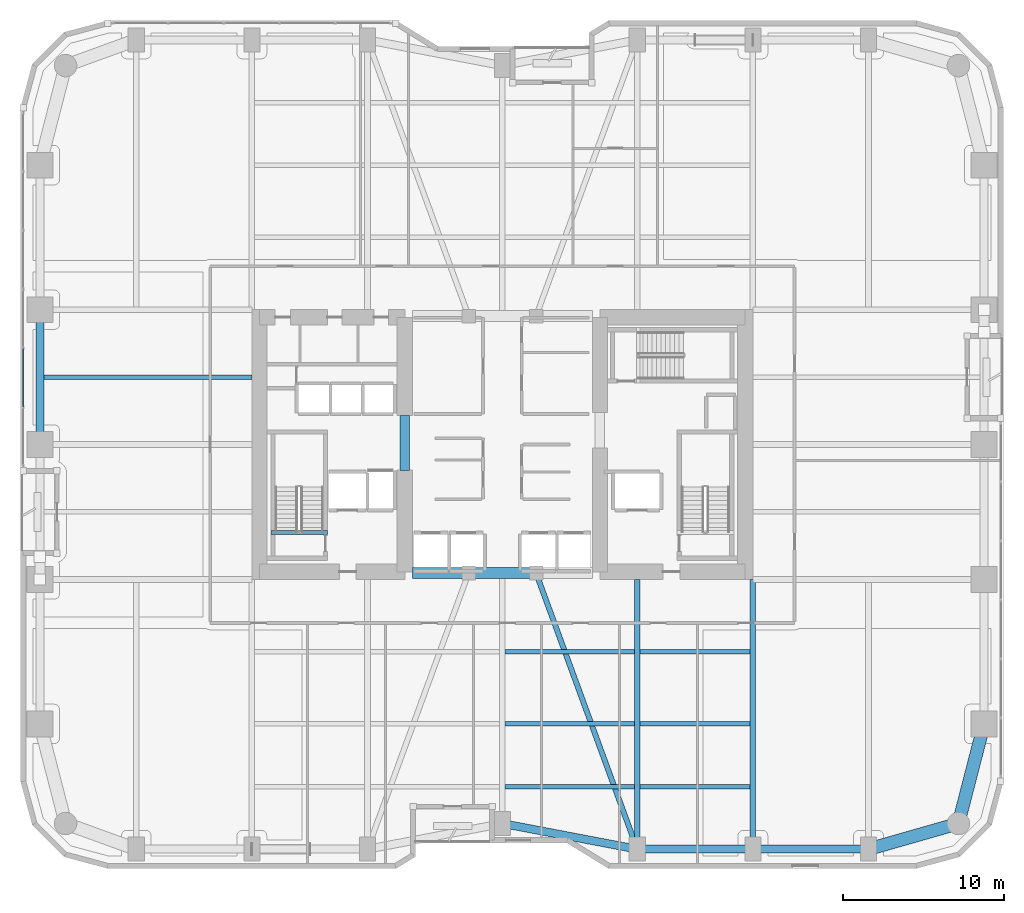
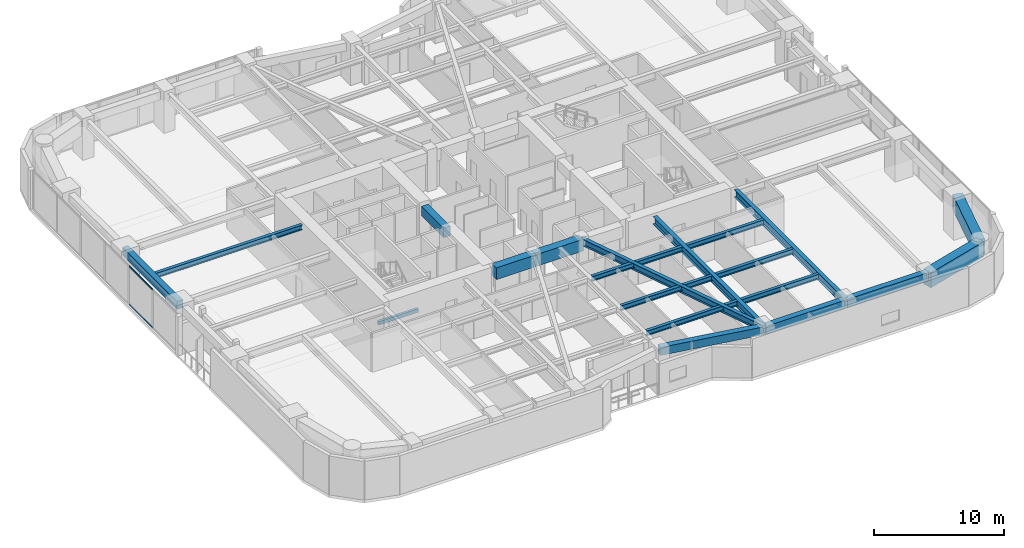
# One storey, part 3 of 29: 20 beams, 2 members, 1 element without a shape of its own.
"""IFC4 building model written with IfcOpenShell, lengths in metres."""

import ifcopenshell
import ifcopenshell.guid

model = None  # the IFC model being written
_history = None  # IfcOwnerHistory: only IFC2X3 demands one
_inside = {}  # id of a spatial element -> (the spatial element, [elements in it])
_under = {}  # id of a project, library or spatial element -> (it, [spatial elements below it])
_declared = {}  # id of a project -> (the project, [libraries it declares])
_typed = {}  # id of a type object -> (the type object, [elements of that type])
_made_of = {}  # id of a material, layer set ... -> (it, [elements and type objects made of it])


def new_model(schema):
    """Start an empty IFC model of exactly this schema.

    Asked for "IFC4X3", IfcOpenShell would pick the latest addendum, in which some entities
    have other attributes; the version numbers below select the first issue.
    IFC2X3 requires an IfcOwnerHistory on every rooted entity: one is made here for all.
    """
    global model, _history
    if schema == "IFC4X3":
        model = ifcopenshell.file(schema_version=(4, 3, 0, 0))
    else:
        model = ifcopenshell.file(schema=schema)
    _inside.clear()
    _under.clear()
    _declared.clear()
    _typed.clear()
    _made_of.clear()
    _history = None
    if model.schema == "IFC2X3":
        org = make("IfcOrganization", Name="unknown")
        user = make(
            "IfcPersonAndOrganization",
            ThePerson=make("IfcPerson", FamilyName="unknown"),
            TheOrganization=org,
        )
        app = make(
            "IfcApplication",
            ApplicationDeveloper=org,
            Version="unknown",
            ApplicationFullName="unknown",
            ApplicationIdentifier="unknown",
        )
        _history = make(
            "IfcOwnerHistory",
            OwningUser=user,
            OwningApplication=app,
            ChangeAction="ADDED",
            CreationDate=0,
        )
    return model


def make(cls, **values):
    """One entity of the class cls with the attributes given. An attribute that is None is left unset."""
    return model.create_entity(
        cls, **{name: value for name, value in values.items() if value is not None}
    )


def rooted(cls, **values):
    """An entity with a GlobalId (a new one), such as an element, a storey or a relation."""
    return make(cls, GlobalId=ifcopenshell.guid.new(), OwnerHistory=_history, **values)


def si_unit(unit_type, name, prefix=None):
    """IfcSIUnit, for example si_unit("LENGTHUNIT", "METRE", prefix="MILLI")."""
    return make("IfcSIUnit", UnitType=unit_type, Prefix=prefix, Name=name)


def assignment(units):
    """IfcUnitAssignment: the units of a project."""
    return None if units is None else make("IfcUnitAssignment", Units=units)


def point(xyz):
    """IfcCartesianPoint."""
    return None if xyz is None else make("IfcCartesianPoint", Coordinates=xyz)


def direction(xyz):
    """IfcDirection."""
    return None if xyz is None else make("IfcDirection", DirectionRatios=xyz)


def frame(location, z_axis=None, x_axis=None):
    """IfcAxis2Placement3D, a coordinate frame: its origin and axes. An axis left out is left unset."""
    return make(
        "IfcAxis2Placement3D",
        Location=point(location),
        Axis=direction(z_axis),
        RefDirection=direction(x_axis),
    )


def frame_2d(location, x_axis=None):
    """IfcAxis2Placement2D, a coordinate frame in the plane: its origin and x axis."""
    return make(
        "IfcAxis2Placement2D", Location=point(location), RefDirection=direction(x_axis)
    )


def origin():
    """The frame at (0, 0, 0) with its axes left unset."""
    return frame((0.0, 0.0, 0.0))


def origin_2d():
    """The frame at (0, 0) in the plane with its x axis left unset."""
    return frame_2d((0.0, 0.0))


def place(relative_to, where):
    """IfcLocalPlacement: puts the frame where relative to a parent placement (None: the world)."""
    return make(
        "IfcLocalPlacement", PlacementRelTo=relative_to, RelativePlacement=where
    )


def context(
    kind, dimensions, precision=None, world=None, true_north=None, identifier=None
):
    """IfcGeometricRepresentationContext, for example the 3D "Model" context."""
    return make(
        "IfcGeometricRepresentationContext",
        ContextIdentifier=identifier,
        ContextType=kind,
        CoordinateSpaceDimension=dimensions,
        Precision=precision,
        WorldCoordinateSystem=world,
        TrueNorth=true_north,
    )


def subcontext(parent, identifier, kind, view, scale=None):
    """IfcGeometricRepresentationSubContext, for example "Body" below "Model"."""
    return make(
        "IfcGeometricRepresentationSubContext",
        ContextIdentifier=identifier,
        ContextType=kind,
        ParentContext=parent,
        TargetScale=scale,
        TargetView=view,
    )


def project(units=None, contexts=None):
    """IfcProject with its units and contexts."""
    return rooted(
        "IfcProject",
        Name="project",
        RepresentationContexts=contexts,
        UnitsInContext=assignment(units),
    )


def spatial(cls, under=None, at=None, **own):
    """A site, building, storey or space (cls), placed at a placement, below another one or the project."""
    s = rooted(cls, ObjectPlacement=at, **own)
    if under is not None:
        _under.setdefault(under.id(), (under, []))[1].append(s)
    return s


def profile(cls, at=None, kind="AREA", **sizes):
    """A parametric profile (cls). Its sizes go by their IFC names, for example OverallWidth=200.0."""
    return make(cls, ProfileType=kind, Position=at, **sizes)


def rectangle(**sizes):
    """IfcRectangleProfileDef."""
    return profile("IfcRectangleProfileDef", **sizes)


def hollow_rectangle(**sizes):
    """IfcRectangleHollowProfileDef."""
    return profile("IfcRectangleHollowProfileDef", **sizes)


def i_section(**sizes):
    """IfcIShapeProfileDef."""
    return profile("IfcIShapeProfileDef", **sizes)


def extrude(swept, where, along, depth):
    """IfcExtrudedAreaSolid: the profile swept, set in the frame where, extruded along a direction by depth."""
    return make(
        "IfcExtrudedAreaSolid",
        SweptArea=swept,
        Position=where,
        ExtrudedDirection=direction(along),
        Depth=depth,
    )


def shape(context_of_items, identifier, shape_type, items):
    """IfcShapeRepresentation: the items that make up one representation, for example the "Body"."""
    return make(
        "IfcShapeRepresentation",
        ContextOfItems=context_of_items,
        RepresentationIdentifier=identifier,
        RepresentationType=shape_type,
        Items=items,
    )


def material(Name=None, Category=None):
    """IfcMaterial."""
    return make("IfcMaterial", Name=Name, Category=Category)


def layer(
    of_material, thickness, ventilated=None, Name=None, Category=None, Priority=None
):
    """IfcMaterialLayer: one layer of a wall or slab, of a material (None: an air gap)."""
    return make(
        "IfcMaterialLayer",
        Material=of_material,
        LayerThickness=thickness,
        IsVentilated=ventilated,
        Name=Name,
        Category=Category,
        Priority=Priority,
    )


def layer_set(layers, Name=None):
    """IfcMaterialLayerSet."""
    return make("IfcMaterialLayerSet", MaterialLayers=layers, LayerSetName=Name)


def material_profile(
    of_material, cross_section, Name=None, Category=None, Priority=None
):
    """IfcMaterialProfile: a cross section and its material."""
    return make(
        "IfcMaterialProfile",
        Name=Name,
        Material=of_material,
        Profile=cross_section,
        Priority=Priority,
        Category=Category,
    )


def profile_set(profiles, Name=None, composite=None):
    """IfcMaterialProfileSet."""
    return make(
        "IfcMaterialProfileSet",
        Name=Name,
        MaterialProfiles=profiles,
        CompositeProfile=composite,
    )


def made_of(thing, what):
    """Note that an element or type object is made of a material, layer set ...; save() writes the relation."""
    if what is not None:
        _made_of.setdefault(what.id(), (what, []))[1].append(thing)
    return thing


def type_object(cls, material=None, **own):
    """A type object (cls), such as IfcWallType, which elements share."""
    return made_of(rooted(cls, **own), material)


def element(
    cls,
    number,
    at=None,
    inside=None,
    cuts=None,
    type_object=None,
    material=None,
    context=None,
    identifier="Body",
    shape_type=None,
    held_by="IfcProductDefinitionShape",
    body=None,
    shapes=None,
    **own,
):
    """One element of the class cls, such as IfcWall. Its Tag is "e" and its number.

    at: its placement. inside: the storey or other place that contains it. cuts: it is an
    opening in that element (IfcRelVoidsElement). A single representation is given by context,
    identifier, shape_type and body (its items); several are given by shapes. held_by: the class
    of the entity that holds the representations. save() writes the other relations.
    """
    e = rooted(cls, Tag="e%d" % number, ObjectPlacement=at, **own)
    if body is not None:
        shapes = [shape(context, identifier, shape_type, body)]
    if shapes is not None:
        e.Representation = make(held_by, Representations=shapes)
    if inside is not None:
        _inside.setdefault(inside.id(), (inside, []))[1].append(e)
    if cuts is not None:
        rooted(
            "IfcRelVoidsElement", RelatingBuildingElement=cuts, RelatedOpeningElement=e
        )
    if type_object is not None:
        _typed.setdefault(type_object.id(), (type_object, []))[1].append(e)
    return made_of(e, material)


def aggregate(whole, parts):
    """IfcRelAggregates: a whole, such as a stair, and the parts it consists of."""
    return rooted("IfcRelAggregates", RelatingObject=whole, RelatedObjects=parts)


def save(model, path):
    """Write the relations noted so far, then the file.

    IfcRelAggregates (storeys below a building ...), IfcRelContainedInSpatialStructure (elements
    in a storey), IfcRelDefinesByType, IfcRelAssociatesMaterial and IfcRelDeclares: one each for
    every whole, place, type object, material and project.
    """
    for whole, parts in _under.values():
        aggregate(whole, parts)
    for where, things in _inside.values():
        rooted(
            "IfcRelContainedInSpatialStructure",
            RelatedElements=things,
            RelatingStructure=where,
        )
    for kind, things in _typed.values():
        rooted("IfcRelDefinesByType", RelatedObjects=things, RelatingType=kind)
    for what, things in _made_of.values():
        rooted("IfcRelAssociatesMaterial", RelatedObjects=things, RelatingMaterial=what)
    for by, libraries in _declared.values():
        rooted("IfcRelDeclares", RelatingContext=by, RelatedDefinitions=libraries)
    model.write(path)


model = new_model("IFC4")

# Units and contexts
model_context = context("Model", 3, precision=1e-05, world=origin(), true_north=direction((0.0, 1.0)))
body_context = subcontext(model_context, "Body", "Model", "MODEL_VIEW")
ifc_project = project(units=[si_unit("LENGTHUNIT", "METRE"), si_unit("AREAUNIT", "SQUARE_METRE"), si_unit("VOLUMEUNIT", "CUBIC_METRE"), si_unit("PLANEANGLEUNIT", "RADIAN"), si_unit("MASSUNIT", "GRAM", prefix="KILO")], contexts=[model_context])

# Site, building, storey
site_placement = place(None, origin())
site = spatial("IfcSite", under=ifc_project, at=site_placement, CompositionType="ELEMENT")
building_placement = place(site_placement, origin())
building = spatial("IfcBuilding", under=site, at=building_placement, Name="Kiyonajd Concourse Tower", CompositionType="ELEMENT")
storey_placement = place(building_placement, frame((0.0, 0.0, 45.0)))
storey = spatial("IfcBuildingStorey", under=building, at=storey_placement, Name="L12", CompositionType="ELEMENT", Elevation=45.0)

# Beams
ifc_material_1 = material(Name="Concrete C70/85", Category="concrete")
ifc_material_profile_1 = material_profile(ifc_material_1, rectangle(XDim=0.699951171875, YDim=1.10009765625, at=origin_2d()), Name="RCBM-700x1100")
ifc_profile_set_1 = profile_set([ifc_material_profile_1], Name="Concrete C70/85")
beam_type_1 = type_object("IfcBeamType", Name="BM-COUP-1100", PredefinedType="LINTEL", material=ifc_profile_set_1)
beam_1_placement = place(storey_placement, frame((42.39990234375, 28.0, 3.090087890625), z_axis=(1.0, 0.0, 0.0), x_axis=(0.0, 1.0, 0.0)))
element("IfcBeam", 1, at=beam_1_placement, inside=storey, type_object=beam_type_1, Name="L12 Core Coupling Beam S1", PredefinedType="LINTEL", context=body_context, shape_type="SweptSolid", body=[
    extrude(rectangle(XDim=0.699951171875, YDim=1.10009765625, at=origin_2d()), origin(), (0.0, 0.0, 1.0), 3.5),
])
beam_2_placement = place(storey_placement, frame((45.89990234375, 28.0, 3.090087890625), z_axis=(1.0, 0.0, 0.0), x_axis=(0.0, 1.0, 0.0)))
element("IfcBeam", 2, at=beam_2_placement, inside=storey, type_object=beam_type_1, Name="L12 Core Coupling Beam S2", PredefinedType="LINTEL", context=body_context, shape_type="SweptSolid", body=[
    extrude(rectangle(XDim=0.699951171875, YDim=1.10009765625, at=origin_2d()), origin(), (0.0, 0.0, 1.0), 4.2001953125),
])
ifc_material_2 = material(Name="Concrete C60/75", Category="concrete")
ifc_material_profile_2 = material_profile(ifc_material_2, rectangle(XDim=0.60009765625, YDim=0.89990234375, at=origin_2d()), Name="RCBM-600x900")
ifc_profile_set_2 = profile_set([ifc_material_profile_2], Name="Concrete C60/75")
beam_type_2 = type_object("IfcBeamType", Name="BM-COUP-900", PredefinedType="LINTEL", material=ifc_profile_set_2)
beam_3_placement = place(storey_placement, frame((41.925048828125, 34.39990234375, 3.090087890625), z_axis=(0.0, 1.0, 0.0), x_axis=(-1.0, 0.0, 0.0)))
element("IfcBeam", 3, at=beam_3_placement, inside=storey, type_object=beam_type_2, Name="L12 West Core Throat Coupling Lintel", PredefinedType="LINTEL", context=body_context, shape_type="SweptSolid", body=[
    extrude(rectangle(XDim=0.60009765625, YDim=0.89990234375, at=origin_2d()), origin(), (0.0, 0.0, 1.0), 3.400146484375),
])
ifc_material_3 = material(Name="Steel ASTM A992 Grade 50", Category="steel")
ifc_material_profile_3 = material_profile(ifc_material_3, i_section(OverallWidth=0.280029296875, OverallDepth=0.462890625, WebThickness=0.0107421875, FlangeThickness=0.017333984375, at=origin_2d()), Name="W460X113")
ifc_profile_set_3 = profile_set([ifc_material_profile_3], Name="Steel ASTM A992 Grade 50")
beam_type_3 = type_object("IfcBeamType", Name="BM-JST-460A", PredefinedType="JOIST", material=ifc_profile_set_3)
beam_4_placement = place(storey_placement, frame((48.177490234375, 14.699951171875, 3.408447265625), z_axis=(1.0, 0.0, 0.0), x_axis=(0.0, 1.0, 0.0)))
element("IfcBeam", 4, at=beam_4_placement, inside=storey, type_object=beam_type_3, Name="L12 Secondary Floor Joist", PredefinedType="JOIST", context=body_context, shape_type="SweptSolid", body=[
    extrude(i_section(OverallWidth=0.280029296875, OverallDepth=0.462890625, WebThickness=0.0107421875, FlangeThickness=0.017333984375, at=origin_2d()), origin(), (0.0, 0.0, 1.0), 8.044921875),
])
beam_5_placement = place(storey_placement, frame((56.577392578125, 14.699951171875, 3.408447265625), z_axis=(1.0, 0.0, 0.0), x_axis=(0.0, 1.0, 0.0)))
element("IfcBeam", 5, at=beam_5_placement, inside=storey, type_object=beam_type_3, Name="L12 Secondary Floor Joist", PredefinedType="JOIST", context=body_context, shape_type="SweptSolid", body=[
    extrude(i_section(OverallWidth=0.280029296875, OverallDepth=0.462890625, WebThickness=0.0107421875, FlangeThickness=0.017333984375, at=origin_2d()), origin(), (0.0, 0.0, 1.0), 6.84521484375),
])
beam_6_placement = place(storey_placement, frame((48.177490234375, 18.60009765625, 3.408447265625), z_axis=(1.0, 0.0, 0.0), x_axis=(0.0, 1.0, 0.0)))
element("IfcBeam", 6, at=beam_6_placement, inside=storey, type_object=beam_type_3, Name="L12 Secondary Floor Joist", PredefinedType="JOIST", context=body_context, shape_type="SweptSolid", body=[
    extrude(i_section(OverallWidth=0.280029296875, OverallDepth=0.462890625, WebThickness=0.0107421875, FlangeThickness=0.017333984375, at=origin_2d()), origin(), (0.0, 0.0, 1.0), 8.044921875),
])
beam_7_placement = place(storey_placement, frame((56.577392578125, 18.60009765625, 3.408447265625), z_axis=(1.0, 0.0, 0.0), x_axis=(0.0, 1.0, 0.0)))
element("IfcBeam", 7, at=beam_7_placement, inside=storey, type_object=beam_type_3, Name="L12 Secondary Floor Joist", PredefinedType="JOIST", context=body_context, shape_type="SweptSolid", body=[
    extrude(i_section(OverallWidth=0.280029296875, OverallDepth=0.462890625, WebThickness=0.0107421875, FlangeThickness=0.017333984375, at=origin_2d()), origin(), (0.0, 0.0, 1.0), 6.84521484375),
])
beam_8_placement = place(storey_placement, frame((48.177490234375, 23.10009765625, 3.408447265625), z_axis=(1.0, 0.0, 0.0), x_axis=(0.0, 1.0, 0.0)))
element("IfcBeam", 8, at=beam_8_placement, inside=storey, type_object=beam_type_3, Name="L12 Secondary Floor Joist", PredefinedType="JOIST", context=body_context, shape_type="SweptSolid", body=[
    extrude(i_section(OverallWidth=0.280029296875, OverallDepth=0.462890625, WebThickness=0.0107421875, FlangeThickness=0.017333984375, at=origin_2d()), origin(), (0.0, 0.0, 1.0), 8.044921875),
])
beam_9_placement = place(storey_placement, frame((56.577392578125, 23.10009765625, 3.408447265625), z_axis=(1.0, 0.0, 0.0), x_axis=(0.0, 1.0, 0.0)))
element("IfcBeam", 9, at=beam_9_placement, inside=storey, type_object=beam_type_3, Name="L12 Secondary Floor Joist", PredefinedType="JOIST", context=body_context, shape_type="SweptSolid", body=[
    extrude(i_section(OverallWidth=0.280029296875, OverallDepth=0.462890625, WebThickness=0.0107421875, FlangeThickness=0.017333984375, at=origin_2d()), origin(), (0.0, 0.0, 1.0), 6.84521484375),
])
beam_10_placement = place(storey_placement, frame((19.449951171875, 40.199951171875, 3.408447265625), z_axis=(1.0, 0.0, 0.0), x_axis=(0.0, 1.0, 0.0)))
element("IfcBeam", 10, at=beam_10_placement, inside=storey, type_object=beam_type_3, Name="L12 West Secondary Floor Joist", PredefinedType="JOIST", context=body_context, shape_type="SweptSolid", body=[
    extrude(i_section(OverallWidth=0.280029296875, OverallDepth=0.462890625, WebThickness=0.0107421875, FlangeThickness=0.017333984375, at=origin_2d()), origin(), (0.0, 0.0, 1.0), 12.949951171875),
])
ifc_material_4 = material(Name="Concrete C50/60", Category="concrete")
ifc_material_profile_4 = material_profile(ifc_material_4, rectangle(XDim=0.239990234375, YDim=0.320068359375, at=origin_2d()), Name="RCBM-240x320")
ifc_profile_set_4 = profile_set([ifc_material_profile_4], Name="Concrete C50/60")
beam_type_4 = type_object("IfcBeamType", Name="BM-LNT-250", PredefinedType="LINTEL", material=ifc_profile_set_4)
beam_11_placement = place(storey_placement, frame((33.590087890625, 30.530029296875, -0.159912109375), z_axis=(1.0, 0.0, 0.0), x_axis=(0.0, 1.0, 0.0)))
element("IfcBeam", 11, at=beam_11_placement, inside=storey, type_object=beam_type_4, Name="L12 Stair ST1 Threshold Support Beam", PredefinedType="LINTEL", context=body_context, shape_type="SweptSolid", body=[
    extrude(rectangle(XDim=0.239990234375, YDim=0.320068359375, at=origin_2d()), origin(), (0.0, 0.0, 1.0), 3.52001953125),
])
ifc_material_5 = material(Name="Precast concrete C50/60", Category="concrete")
ifc_material_profile_5 = material_profile(ifc_material_5, rectangle(XDim=0.5, YDim=0.75, at=origin_2d()), Name="RCBM-500x750")
ifc_profile_set_5 = profile_set([ifc_material_profile_5], Name="Precast concrete C50/60")
beam_type_5 = type_object("IfcBeamType", Name="BM-SPAN-RC", PredefinedType="SPANDREL", material=ifc_profile_set_5)
beam_12_placement = place(storey_placement, frame((48.0, 12.39990234375, 3.264892578125), z_axis=(0.982341315253, -0.187097675953, 0.0), x_axis=(0.187097675953, 0.982341315253, 0.0)))
element("IfcBeam", 12, at=beam_12_placement, inside=storey, type_object=beam_type_5, Name="L12 Perimeter Bundled Tube Spandrel", PredefinedType="SPANDREL", context=body_context, shape_type="SweptSolid", body=[
    extrude(rectangle(XDim=0.5, YDim=0.75, at=origin_2d()), origin(), (0.0, 0.0, 1.0), 8.55078125),
])
beam_13_placement = place(storey_placement, frame((56.39990234375, 10.800048828125, 3.264892578125), z_axis=(1.0, 0.0, 0.0), x_axis=(0.0, 1.0, 0.0)))
element("IfcBeam", 13, at=beam_13_placement, inside=storey, type_object=beam_type_5, Name="L12 Perimeter Bundled Tube Spandrel", PredefinedType="SPANDREL", context=body_context, shape_type="SweptSolid", body=[
    extrude(rectangle(XDim=0.5, YDim=0.75, at=origin_2d()), origin(), (0.0, 0.0, 1.0), 7.2001953125),
])
beam_14_placement = place(storey_placement, frame((63.60009765625, 10.800048828125, 3.264892578125), z_axis=(1.0, 0.0, 0.0), x_axis=(0.0, 1.0, 0.0)))
element("IfcBeam", 14, at=beam_14_placement, inside=storey, type_object=beam_type_5, Name="L12 Perimeter Bundled Tube Spandrel", PredefinedType="SPANDREL", context=body_context, shape_type="SweptSolid", body=[
    extrude(rectangle(XDim=0.5, YDim=0.75, at=origin_2d()), origin(), (0.0, 0.0, 1.0), 7.199951171875),
])
beam_15_placement = place(storey_placement, frame((19.199951171875, 44.39990234375, 3.264892578125), z_axis=(0.0, -1.0, 0.0), x_axis=(1.0, 0.0, 0.0)))
element("IfcBeam", 15, at=beam_15_placement, inside=storey, type_object=beam_type_5, Name="L12 Perimeter Bundled Tube Spandrel", PredefinedType="SPANDREL", context=body_context, shape_type="SweptSolid", body=[
    extrude(rectangle(XDim=0.5, YDim=0.75, at=origin_2d()), origin(), (0.0, 0.0, 1.0), 8.39990234375),
])
ifc_material_profile_6 = material_profile(ifc_material_3, i_section(OverallWidth=0.326904296875, OverallDepth=0.6220703125, WebThickness=0.015380859375, FlangeThickness=0.0244140625, at=origin_2d()), Name="W610X195")
ifc_profile_set_6 = profile_set([ifc_material_profile_6], Name="Steel ASTM A992 Grade 50")
beam_type_6 = type_object("IfcBeamType", Name="BM-TWR-610A", PredefinedType="BEAM", material=ifc_profile_set_6)
beam_16_placement = place(storey_placement, frame((50.10009765625, 28.0, 3.3291015625), z_axis=(0.343925269715, -0.938997022813, 0.0), x_axis=(0.938997022813, 0.343925269715, 0.0)))
element("IfcBeam", 16, at=beam_16_placement, inside=storey, type_object=beam_type_6, Name="L12 Core Tie Girder", PredefinedType="BEAM", context=body_context, shape_type="SweptSolid", body=[
    extrude(i_section(OverallWidth=0.326904296875, OverallDepth=0.6220703125, WebThickness=0.015380859375, FlangeThickness=0.0244140625, at=origin_2d()), origin(), (0.0, 0.0, 1.0), 18.3173828125),
])
ifc_material_profile_7 = material_profile(ifc_material_3, i_section(OverallWidth=0.35498046875, OverallDepth=0.695068359375, WebThickness=0.015380859375, FlangeThickness=0.02490234375, at=origin_2d()), Name="W690X217")
ifc_profile_set_7 = profile_set([ifc_material_profile_7], Name="Steel ASTM A992 Grade 50")
beam_type_7 = type_object("IfcBeamType", Name="BM-TWR-690", PredefinedType="BEAM", material=ifc_profile_set_7)
for number, where, z_axis, x_axis, name in (
    (17, (56.39990234375, 10.800048828125, 3.29248046875), (0.0, 1.0, 0.0), (-1.0, 0.0, 0.0), "L12 South Lease Girder"),
    (18, (63.60009765625, 10.800048828125, 3.29248046875), (0.0, 1.0, 0.0), (-1.0, 0.0, 0.0), "L12 South Lease Girder"),
):
    element("IfcBeam", number, at=place(storey_placement, frame(where, z_axis=z_axis, x_axis=x_axis)), inside=storey, type_object=beam_type_7, Name=name, PredefinedType="BEAM", context=body_context, shape_type="SweptSolid", body=[
        extrude(i_section(OverallWidth=0.35498046875, OverallDepth=0.695068359375, WebThickness=0.015380859375, FlangeThickness=0.02490234375, at=origin_2d()), origin(), (0.0, 0.0, 1.0), 16.800048828125),
    ])
ifc_material_profile_8 = material_profile(ifc_material_2, rectangle(XDim=0.800048828125, YDim=1.39990234375, at=origin_2d()), Name="RCBM-800x1400")
ifc_profile_set_8 = profile_set([ifc_material_profile_8], Name="Concrete C60/75")
beam_type_8 = type_object("IfcBeamType", Name="BM-XFER-RC", PredefinedType="BEAM", material=ifc_profile_set_8)
beam_17_placement = place(storey_placement, frame((70.800048828125, 10.800048828125, 2.93994140625), z_axis=(0.961528693205, 0.274704517878, 0.0), x_axis=(-0.274704517878, 0.961528693205, 0.0)))
element("IfcBeam", 19, at=beam_17_placement, inside=storey, type_object=beam_type_8, Name="L12 Perimeter Bundled Tube Spandrel", PredefinedType="BEAM", context=body_context, shape_type="SweptSolid", body=[
    extrude(rectangle(XDim=0.800048828125, YDim=1.39990234375, at=origin_2d()), origin(), (0.0, 0.0, 1.0), 5.823974609375),
])
beam_18_placement = place(storey_placement, frame((76.39990234375, 12.39990234375, 2.93994140625), z_axis=(0.249884937687, 0.968275538221, 0.0), x_axis=(-0.968275538221, 0.249884937687, 0.0)))
element("IfcBeam", 20, at=beam_18_placement, inside=storey, type_object=beam_type_8, Name="L12 Perimeter Bundled Tube Spandrel", PredefinedType="BEAM", context=body_context, shape_type="SweptSolid", body=[
    extrude(rectangle(XDim=0.800048828125, YDim=1.39990234375, at=origin_2d()), origin(), (0.0, 0.0, 1.0), 6.4033203125),
])

# Curtain wall, members
ifc_material_6 = material(Name="Thermally Broken Anodised Aluminium", Category="aluminium")
ifc_layer = layer(ifc_material_6, 0.179931640625)
ifc_layer_set = layer_set([ifc_layer], Name="Thermally Broken Anodised Aluminium")
curtain_wall_type = type_object("IfcCurtainWallType", Name="CW-SYS-02", PredefinedType="NOTDEFINED", material=ifc_layer_set)
curtain_wall_placement = place(storey_placement, origin())
curtain_wall = element("IfcCurtainWall", 21, at=curtain_wall_placement, inside=storey, type_object=curtain_wall_type, Name="L12 Unitised Curtain Wall CW2", PredefinedType="NOTDEFINED")
ifc_material_profile_9 = material_profile(ifc_material_6, hollow_rectangle(XDim=0.06494140625, YDim=0.139892578125, WallThickness=0.00390625, at=origin_2d()), Name="TRAN-65x140")
ifc_profile_set_9 = profile_set([ifc_material_profile_9], Name="Thermally Broken Anodised Aluminium")
member_type = type_object("IfcMemberType", Name="MB-CW-TRAN1", PredefinedType="USERDEFINED", material=ifc_profile_set_9)
member_1_placement = place(storey_placement, frame((18.159912109375, 38.355712890625, 0.032470703125), z_axis=(0.0, 1.0, 0.0), x_axis=(-1.0, 0.0, 0.0)))
member_1 = element("IfcMember", 22, at=member_1_placement, type_object=member_type, Name="CW2 transom 2.1", ObjectType="TRANSOM", PredefinedType="USERDEFINED", context=body_context, shape_type="SweptSolid", body=[
    extrude(hollow_rectangle(XDim=0.06494140625, YDim=0.139892578125, WallThickness=0.00390625, at=origin_2d()), origin(), (0.0, 0.0, 1.0), 3.608154296875),
])
member_2_placement = place(storey_placement, frame((18.159912109375, 38.355712890625, 3.607421875), z_axis=(0.0, 1.0, 0.0), x_axis=(-1.0, 0.0, 0.0)))
member_2 = element("IfcMember", 23, at=member_2_placement, type_object=member_type, Name="CW2 transom 2.2", ObjectType="TRANSOM", PredefinedType="USERDEFINED", context=body_context, shape_type="SweptSolid", body=[
    extrude(hollow_rectangle(XDim=0.06494140625, YDim=0.139892578125, WallThickness=0.00390625, at=origin_2d()), origin(), (0.0, 0.0, 1.0), 3.608154296875),
])
aggregate(curtain_wall, [member_1, member_2])

save(model, "model.ifc")
